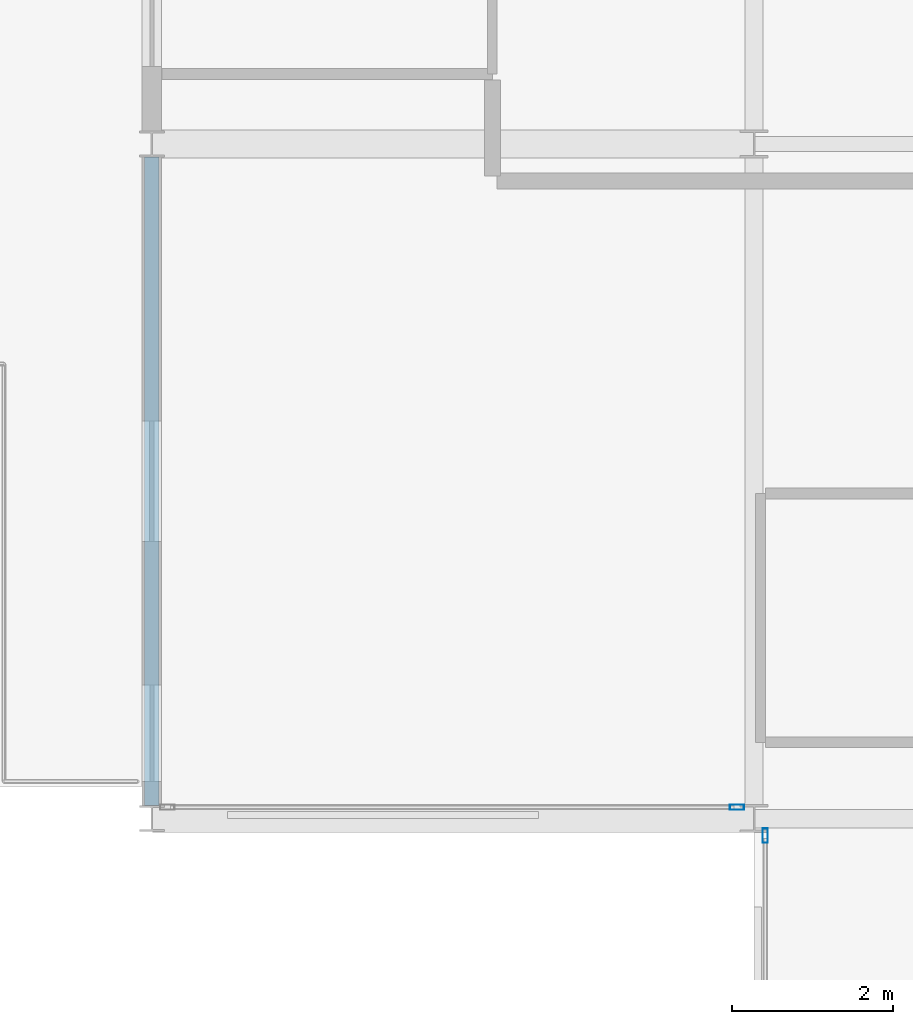
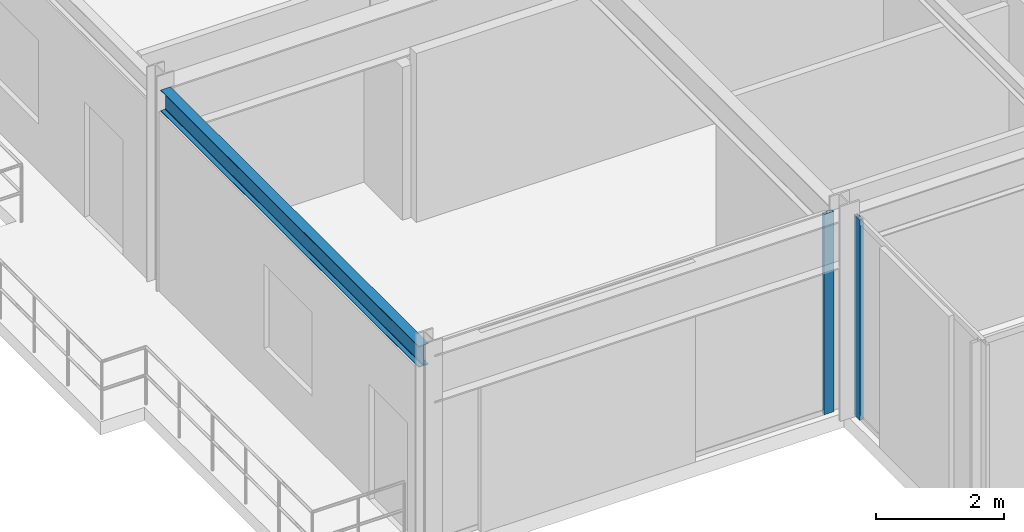
# One storey, part 4 of 29: 2 members, 1 beam, 2 elements without a shape of their own.
"""IFC4 building model written with IfcOpenShell, lengths in metres."""

import ifcopenshell
import ifcopenshell.guid

model = None  # the IFC model being written
_history = None  # IfcOwnerHistory: only IFC2X3 demands one
_inside = {}  # id of a spatial element -> (the spatial element, [elements in it])
_under = {}  # id of a project, library or spatial element -> (it, [spatial elements below it])
_declared = {}  # id of a project -> (the project, [libraries it declares])
_typed = {}  # id of a type object -> (the type object, [elements of that type])
_made_of = {}  # id of a material, layer set ... -> (it, [elements and type objects made of it])


def new_model(schema):
    """Start an empty IFC model of exactly this schema.

    Asked for "IFC4X3", IfcOpenShell would pick the latest addendum, in which some entities
    have other attributes; the version numbers below select the first issue.
    IFC2X3 requires an IfcOwnerHistory on every rooted entity: one is made here for all.
    """
    global model, _history
    if schema == "IFC4X3":
        model = ifcopenshell.file(schema_version=(4, 3, 0, 0))
    else:
        model = ifcopenshell.file(schema=schema)
    _inside.clear()
    _under.clear()
    _declared.clear()
    _typed.clear()
    _made_of.clear()
    _history = None
    if model.schema == "IFC2X3":
        org = make("IfcOrganization", Name="unknown")
        user = make(
            "IfcPersonAndOrganization",
            ThePerson=make("IfcPerson", FamilyName="unknown"),
            TheOrganization=org,
        )
        app = make(
            "IfcApplication",
            ApplicationDeveloper=org,
            Version="unknown",
            ApplicationFullName="unknown",
            ApplicationIdentifier="unknown",
        )
        _history = make(
            "IfcOwnerHistory",
            OwningUser=user,
            OwningApplication=app,
            ChangeAction="ADDED",
            CreationDate=0,
        )
    return model


def make(cls, **values):
    """One entity of the class cls with the attributes given. An attribute that is None is left unset."""
    return model.create_entity(
        cls, **{name: value for name, value in values.items() if value is not None}
    )


def rooted(cls, **values):
    """An entity with a GlobalId (a new one), such as an element, a storey or a relation."""
    return make(cls, GlobalId=ifcopenshell.guid.new(), OwnerHistory=_history, **values)


def si_unit(unit_type, name, prefix=None):
    """IfcSIUnit, for example si_unit("LENGTHUNIT", "METRE", prefix="MILLI")."""
    return make("IfcSIUnit", UnitType=unit_type, Prefix=prefix, Name=name)


def assignment(units):
    """IfcUnitAssignment: the units of a project."""
    return None if units is None else make("IfcUnitAssignment", Units=units)


def point(xyz):
    """IfcCartesianPoint."""
    return None if xyz is None else make("IfcCartesianPoint", Coordinates=xyz)


def direction(xyz):
    """IfcDirection."""
    return None if xyz is None else make("IfcDirection", DirectionRatios=xyz)


def frame(location, z_axis=None, x_axis=None):
    """IfcAxis2Placement3D, a coordinate frame: its origin and axes. An axis left out is left unset."""
    return make(
        "IfcAxis2Placement3D",
        Location=point(location),
        Axis=direction(z_axis),
        RefDirection=direction(x_axis),
    )


def frame_2d(location, x_axis=None):
    """IfcAxis2Placement2D, a coordinate frame in the plane: its origin and x axis."""
    return make(
        "IfcAxis2Placement2D", Location=point(location), RefDirection=direction(x_axis)
    )


def origin():
    """The frame at (0, 0, 0) with its axes left unset."""
    return frame((0.0, 0.0, 0.0))


def origin_2d():
    """The frame at (0, 0) in the plane with its x axis left unset."""
    return frame_2d((0.0, 0.0))


def place(relative_to, where):
    """IfcLocalPlacement: puts the frame where relative to a parent placement (None: the world)."""
    return make(
        "IfcLocalPlacement", PlacementRelTo=relative_to, RelativePlacement=where
    )


def context(
    kind, dimensions, precision=None, world=None, true_north=None, identifier=None
):
    """IfcGeometricRepresentationContext, for example the 3D "Model" context."""
    return make(
        "IfcGeometricRepresentationContext",
        ContextIdentifier=identifier,
        ContextType=kind,
        CoordinateSpaceDimension=dimensions,
        Precision=precision,
        WorldCoordinateSystem=world,
        TrueNorth=true_north,
    )


def subcontext(parent, identifier, kind, view, scale=None):
    """IfcGeometricRepresentationSubContext, for example "Body" below "Model"."""
    return make(
        "IfcGeometricRepresentationSubContext",
        ContextIdentifier=identifier,
        ContextType=kind,
        ParentContext=parent,
        TargetScale=scale,
        TargetView=view,
    )


def project(units=None, contexts=None):
    """IfcProject with its units and contexts."""
    return rooted(
        "IfcProject",
        Name="project",
        RepresentationContexts=contexts,
        UnitsInContext=assignment(units),
    )


def spatial(cls, under=None, at=None, **own):
    """A site, building, storey or space (cls), placed at a placement, below another one or the project."""
    s = rooted(cls, ObjectPlacement=at, **own)
    if under is not None:
        _under.setdefault(under.id(), (under, []))[1].append(s)
    return s


def profile(cls, at=None, kind="AREA", **sizes):
    """A parametric profile (cls). Its sizes go by their IFC names, for example OverallWidth=200.0."""
    return make(cls, ProfileType=kind, Position=at, **sizes)


def hollow_rectangle(**sizes):
    """IfcRectangleHollowProfileDef."""
    return profile("IfcRectangleHollowProfileDef", **sizes)


def i_section(**sizes):
    """IfcIShapeProfileDef."""
    return profile("IfcIShapeProfileDef", **sizes)


def extrude(swept, where, along, depth):
    """IfcExtrudedAreaSolid: the profile swept, set in the frame where, extruded along a direction by depth."""
    return make(
        "IfcExtrudedAreaSolid",
        SweptArea=swept,
        Position=where,
        ExtrudedDirection=direction(along),
        Depth=depth,
    )


def shape(context_of_items, identifier, shape_type, items):
    """IfcShapeRepresentation: the items that make up one representation, for example the "Body"."""
    return make(
        "IfcShapeRepresentation",
        ContextOfItems=context_of_items,
        RepresentationIdentifier=identifier,
        RepresentationType=shape_type,
        Items=items,
    )


def material(Name=None, Category=None):
    """IfcMaterial."""
    return make("IfcMaterial", Name=Name, Category=Category)


def layer(
    of_material, thickness, ventilated=None, Name=None, Category=None, Priority=None
):
    """IfcMaterialLayer: one layer of a wall or slab, of a material (None: an air gap)."""
    return make(
        "IfcMaterialLayer",
        Material=of_material,
        LayerThickness=thickness,
        IsVentilated=ventilated,
        Name=Name,
        Category=Category,
        Priority=Priority,
    )


def layer_set(layers, Name=None):
    """IfcMaterialLayerSet."""
    return make("IfcMaterialLayerSet", MaterialLayers=layers, LayerSetName=Name)


def material_profile(
    of_material, cross_section, Name=None, Category=None, Priority=None
):
    """IfcMaterialProfile: a cross section and its material."""
    return make(
        "IfcMaterialProfile",
        Name=Name,
        Material=of_material,
        Profile=cross_section,
        Priority=Priority,
        Category=Category,
    )


def profile_set(profiles, Name=None, composite=None):
    """IfcMaterialProfileSet."""
    return make(
        "IfcMaterialProfileSet",
        Name=Name,
        MaterialProfiles=profiles,
        CompositeProfile=composite,
    )


def made_of(thing, what):
    """Note that an element or type object is made of a material, layer set ...; save() writes the relation."""
    if what is not None:
        _made_of.setdefault(what.id(), (what, []))[1].append(thing)
    return thing


def type_object(cls, material=None, **own):
    """A type object (cls), such as IfcWallType, which elements share."""
    return made_of(rooted(cls, **own), material)


def element(
    cls,
    number,
    at=None,
    inside=None,
    cuts=None,
    type_object=None,
    material=None,
    context=None,
    identifier="Body",
    shape_type=None,
    held_by="IfcProductDefinitionShape",
    body=None,
    shapes=None,
    **own,
):
    """One element of the class cls, such as IfcWall. Its Tag is "e" and its number.

    at: its placement. inside: the storey or other place that contains it. cuts: it is an
    opening in that element (IfcRelVoidsElement). A single representation is given by context,
    identifier, shape_type and body (its items); several are given by shapes. held_by: the class
    of the entity that holds the representations. save() writes the other relations.
    """
    e = rooted(cls, Tag="e%d" % number, ObjectPlacement=at, **own)
    if body is not None:
        shapes = [shape(context, identifier, shape_type, body)]
    if shapes is not None:
        e.Representation = make(held_by, Representations=shapes)
    if inside is not None:
        _inside.setdefault(inside.id(), (inside, []))[1].append(e)
    if cuts is not None:
        rooted(
            "IfcRelVoidsElement", RelatingBuildingElement=cuts, RelatedOpeningElement=e
        )
    if type_object is not None:
        _typed.setdefault(type_object.id(), (type_object, []))[1].append(e)
    return made_of(e, material)


def aggregate(whole, parts):
    """IfcRelAggregates: a whole, such as a stair, and the parts it consists of."""
    return rooted("IfcRelAggregates", RelatingObject=whole, RelatedObjects=parts)


def save(model, path):
    """Write the relations noted so far, then the file.

    IfcRelAggregates (storeys below a building ...), IfcRelContainedInSpatialStructure (elements
    in a storey), IfcRelDefinesByType, IfcRelAssociatesMaterial and IfcRelDeclares: one each for
    every whole, place, type object, material and project.
    """
    for whole, parts in _under.values():
        aggregate(whole, parts)
    for where, things in _inside.values():
        rooted(
            "IfcRelContainedInSpatialStructure",
            RelatedElements=things,
            RelatingStructure=where,
        )
    for kind, things in _typed.values():
        rooted("IfcRelDefinesByType", RelatedObjects=things, RelatingType=kind)
    for what, things in _made_of.values():
        rooted("IfcRelAssociatesMaterial", RelatedObjects=things, RelatingMaterial=what)
    for by, libraries in _declared.values():
        rooted("IfcRelDeclares", RelatingContext=by, RelatedDefinitions=libraries)
    model.write(path)


model = new_model("IFC4")

# Units and contexts
model_context = context("Model", 3, precision=1e-05, world=origin(), true_north=direction((0.0, 1.0)))
body_context = subcontext(model_context, "Body", "Model", "MODEL_VIEW")
ifc_project = project(units=[si_unit("LENGTHUNIT", "METRE"), si_unit("AREAUNIT", "SQUARE_METRE"), si_unit("VOLUMEUNIT", "CUBIC_METRE"), si_unit("PLANEANGLEUNIT", "RADIAN"), si_unit("MASSUNIT", "GRAM", prefix="KILO")], contexts=[model_context])

# Site, building, storey
site_placement = place(None, origin())
site = spatial("IfcSite", under=ifc_project, at=site_placement, CompositionType="ELEMENT")
building_placement = place(site_placement, origin())
building = spatial("IfcBuilding", under=site, at=building_placement, Name="Nerrivon Quay Data Exchange", CompositionType="ELEMENT")
storey_placement = place(building_placement, frame((0.0, 0.0, 196.0)))
storey = spatial("IfcBuildingStorey", under=building, at=storey_placement, Name="L46", CompositionType="ELEMENT", Elevation=196.0)

# Beam
ifc_material_1 = material(Name="Steel Grade 350", Category="steel")
ifc_material_profile_1 = material_profile(ifc_material_1, i_section(OverallWidth=0.177978515625, OverallDepth=0.403076171875, WebThickness=0.007568359375, FlangeThickness=0.010986328125, FilletRadius=0.011474609375, at=origin_2d()), Name="410UB53.7")
ifc_profile_set_1 = profile_set([ifc_material_profile_1], Name="Steel Grade 350")
beam_type = type_object("IfcBeamType", Name="BM-SP2-410UB54", PredefinedType="SPANDREL", material=ifc_profile_set_1)
beam_placement = place(storey_placement, frame((-7.5, 8.5634765625, 3.62353515625), z_axis=(0.0, 1.0, 0.0), x_axis=(-1.0, 0.0, 0.0)))
element("IfcBeam", 1, at=beam_placement, inside=storey, type_object=beam_type, Name="L46 West Hooked Edge Spandrel", PredefinedType="SPANDREL", context=body_context, shape_type="SweptSolid", body=[
    extrude(i_section(OverallWidth=0.177978515625, OverallDepth=0.403076171875, WebThickness=0.007568359375, FlangeThickness=0.010986328125, FilletRadius=0.011474609375, at=origin_2d()), origin(), (0.0, 0.0, 1.0), 8.072998046875),
])

# Curtain wall, member
ifc_material_2 = material(Name="Anodised aluminium 6063-T6", Category="aluminium")
ifc_layer_1 = layer(ifc_material_2, 0.195068359375)
ifc_layer_set_1 = layer_set([ifc_layer_1], Name="Anodised aluminium 6063-T6")
curtain_wall_type_1 = type_object("IfcCurtainWallType", Name="CW-SYS-06", PredefinedType="NOTDEFINED", material=ifc_layer_set_1)
curtain_wall_1_placement = place(storey_placement, origin())
curtain_wall_1 = element("IfcCurtainWall", 2, at=curtain_wall_1_placement, inside=storey, type_object=curtain_wall_type_1, Name="L46 Unitised Curtain Wall 31", PredefinedType="NOTDEFINED")
ifc_material_profile_2 = material_profile(ifc_material_2, hollow_rectangle(XDim=0.06494140625, YDim=0.179931640625, WallThickness=0.00341796875, at=origin_2d()), Name="ALU-MULL-180x65")
ifc_profile_set_2 = profile_set([ifc_material_profile_2], Name="Anodised aluminium 6063-T6")
member_type = type_object("IfcMemberType", Name="CWM-180x65", PredefinedType="MULLION", material=ifc_profile_set_2)
member_1_placement = place(storey_placement, frame((0.139892578125, 8.1875, 0.0), z_axis=(0.0, 0.0, 1.0), x_axis=(-1.0, 0.0, 0.0)))
member_1 = element("IfcMember", 3, at=member_1_placement, type_object=member_type, Name="CW06 mullion 2", PredefinedType="MULLION", context=body_context, shape_type="SweptSolid", body=[
    extrude(hollow_rectangle(XDim=0.06494140625, YDim=0.179931640625, WallThickness=0.00341796875, at=origin_2d()), origin(), (0.0, 0.0, 1.0), 3.824951171875),
])
aggregate(curtain_wall_1, [member_1])

ifc_layer_2 = layer(ifc_material_2, 0.199951171875)
ifc_layer_set_2 = layer_set([ifc_layer_2], Name="Anodised aluminium 6063-T6")
curtain_wall_type_2 = type_object("IfcCurtainWallType", Name="CW-SYS-04", PredefinedType="NOTDEFINED", material=ifc_layer_set_2)
curtain_wall_2_placement = place(storey_placement, origin())
curtain_wall_2 = element("IfcCurtainWall", 4, at=curtain_wall_2_placement, inside=storey, type_object=curtain_wall_type_2, Name="L46 Unitised Curtain Wall 32", PredefinedType="NOTDEFINED")
member_2_placement = place(storey_placement, frame((-0.21240234375, 8.5400390625, 0.0), z_axis=(0.0, 0.0, 1.0), x_axis=(0.0, -1.0, 0.0)))
member_2 = element("IfcMember", 5, at=member_2_placement, type_object=member_type, Name="CW04 mullion 1", PredefinedType="MULLION", context=body_context, shape_type="SweptSolid", body=[
    extrude(hollow_rectangle(XDim=0.06494140625, YDim=0.179931640625, WallThickness=0.00341796875, at=origin_2d()), origin(), (0.0, 0.0, 1.0), 3.824951171875),
])
aggregate(curtain_wall_2, [member_2])

save(model, "model.ifc")
